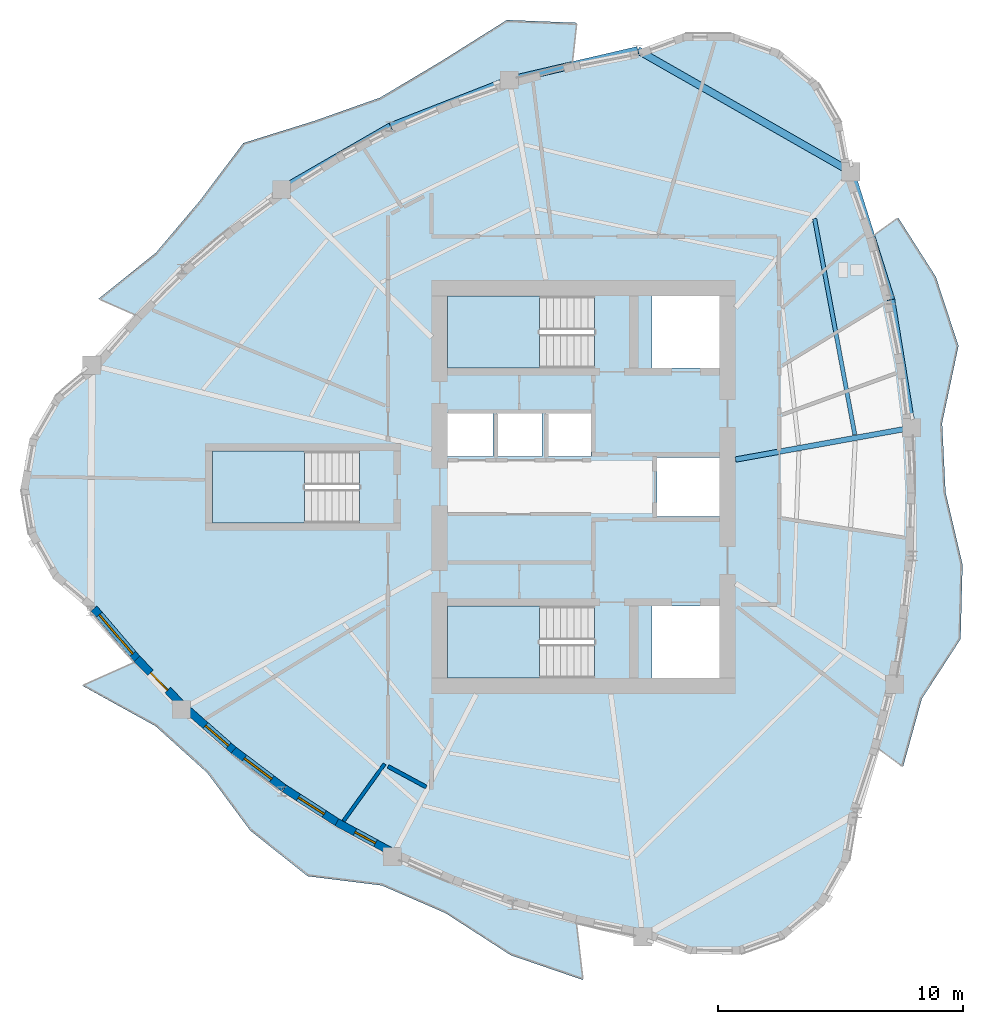
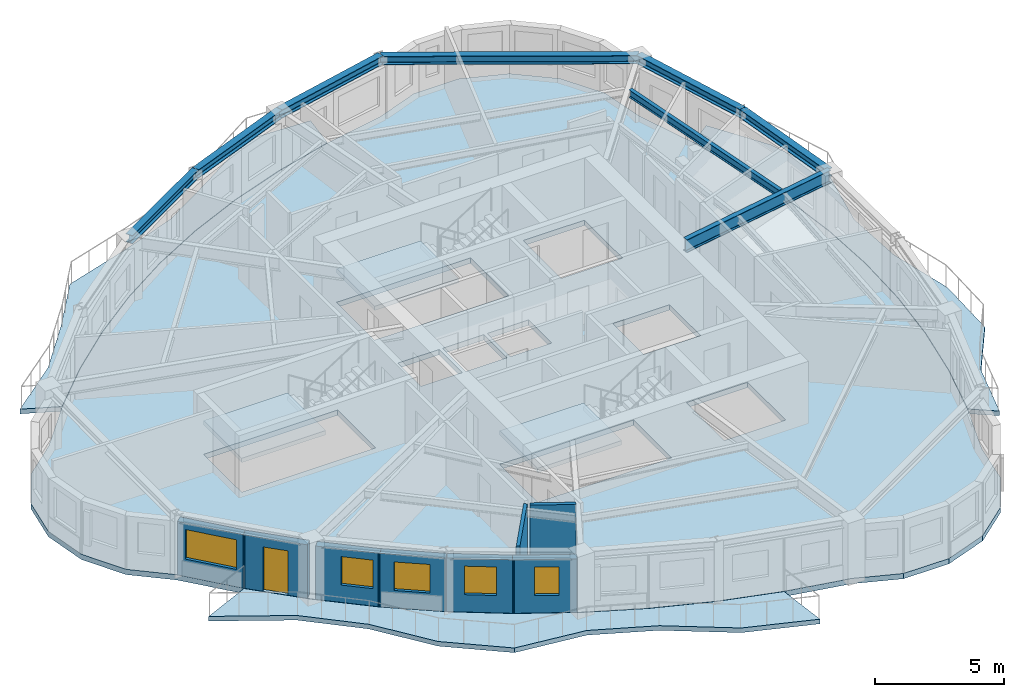
# One storey, part 2 of 12: 8 beams, 8 walls, 7 slabs, 5 windows, 1 door, 6 openings, 3 elements without a shape of their own.
"""IFC4 building model written with IfcOpenShell, lengths in metres."""

from ifc_helpers import new_model, si_unit, direction, frame, frame_2d, origin, origin_2d, place, context, subcontext, project, spatial, polyline, rectangle, i_section, outline, extrude, source, transform, mapped, material, layer, layer_set, material_profile, profile_set, type_object, element, fill, aggregate, save


model = new_model("IFC4")

# Units and contexts
model_context = context("Model", 3, precision=1e-05, world=origin(), true_north=direction((0.0, 1.0)))
body_context = subcontext(model_context, "Body", "Model", "MODEL_VIEW")
ifc_project = project(units=[si_unit("LENGTHUNIT", "METRE"), si_unit("AREAUNIT", "SQUARE_METRE"), si_unit("VOLUMEUNIT", "CUBIC_METRE"), si_unit("PLANEANGLEUNIT", "RADIAN"), si_unit("MASSUNIT", "GRAM", prefix="KILO")], contexts=[model_context])

# Site, building, storey
site_placement = place(None, origin())
site = spatial("IfcSite", under=ifc_project, at=site_placement, CompositionType="ELEMENT")
building_placement = place(site_placement, origin())
building = spatial("IfcBuilding", under=site, at=building_placement, Name="Qafzar Sky-Pleat Residences", CompositionType="ELEMENT")
storey_placement = place(building_placement, frame((0.0, 0.0, 174.60009765625)))
storey = spatial("IfcBuildingStorey", under=building, at=storey_placement, Name="L52", CompositionType="ELEMENT", Elevation=174.60009765625)

# Beams
ifc_material_1 = material(Name="Steel S355", Category="steel")
ifc_material_profile_1 = material_profile(ifc_material_1, i_section(OverallWidth=0.300048828125, OverallDepth=0.39990234375, WebThickness=0.013427734375, FlangeThickness=0.02392578125, FilletRadius=0.027099609375, at=origin_2d()), Name="HEB 400")
ifc_profile_set_1 = profile_set([ifc_material_profile_1], Name="Steel S355")
beam_type_1 = type_object("IfcBeamType", Name="BM-SPAN-HEB400", PredefinedType="SPANDREL", material=ifc_profile_set_1)
shared_shape_1 = source(origin(), body_context, "Body", "SweptSolid", [
    extrude(i_section(OverallWidth=0.300048828125, OverallDepth=0.39990234375, WebThickness=0.013427734375, FlangeThickness=0.02392578125, FilletRadius=0.027099609375, at=origin_2d()), origin(), (0.0, 0.0, 1.0), 10.017578125),
])
beam_1_placement = place(storey_placement, frame((41.25634765625, 38.860107421875, 2.747802734375), z_axis=(-0.86844553877, 0.495784576394, 0.0), x_axis=(-0.495784576394, -0.86844553877, 0.0)))
element("IfcBeam", 1, at=beam_1_placement, inside=storey, type_object=beam_type_1, Name="L52 Perimeter Spandrel Beam 13", PredefinedType="SPANDREL", context=body_context, shape_type="MappedRepresentation", body=[
    mapped(shared_shape_1, transform((0.0, 0.0, 0.0), x_axis=(1.0, 0.0, 0.0), y_axis=(0.0, 1.0, 0.0), z_axis=(0.0, 0.0, 1.0), scale=1.0)),
])
shared_shape_2 = source(origin(), body_context, "Body", "SweptSolid", [
    extrude(i_section(OverallWidth=0.300048828125, OverallDepth=0.39990234375, WebThickness=0.013427734375, FlangeThickness=0.02392578125, FilletRadius=0.027099609375, at=origin_2d()), origin(), (0.0, 0.0, 1.0), 5.468505859375),
])
beam_2_placement = place(storey_placement, frame((42.897705078125, 33.643798828125, 2.747802734375), z_axis=(-0.300150473614, 0.953891866612, 0.0), x_axis=(-0.953891866612, -0.300150473614, 0.0)))
element("IfcBeam", 2, at=beam_2_placement, inside=storey, type_object=beam_type_1, Name="L52 Perimeter Spandrel Beam 12", PredefinedType="SPANDREL", context=body_context, shape_type="MappedRepresentation", body=[
    mapped(shared_shape_2, transform((0.0, 0.0, 0.0), x_axis=(1.0, 0.0, 0.0), y_axis=(0.0, 1.0, 0.0), z_axis=(0.0, 0.0, 1.0), scale=1.0)),
])
shared_shape_3 = source(origin(), body_context, "Body", "SweptSolid", [
    extrude(i_section(OverallWidth=0.300048828125, OverallDepth=0.39990234375, WebThickness=0.013427734375, FlangeThickness=0.02392578125, FilletRadius=0.027099609375, at=origin_2d()), origin(), (0.0, 0.0, 1.0), 5.292236328125),
])
beam_3_placement = place(storey_placement, frame((43.74365234375, 28.419677734375, 2.747802734375), z_axis=(-0.159848832351, 0.98714150495, 0.0), x_axis=(-0.98714150495, -0.159848832351, 0.0)))
element("IfcBeam", 3, at=beam_3_placement, inside=storey, type_object=beam_type_1, Name="L52 Perimeter Spandrel Beam 11", PredefinedType="SPANDREL", context=body_context, shape_type="MappedRepresentation", body=[
    mapped(shared_shape_3, transform((0.0, 0.0, 0.0), x_axis=(1.0, 0.0, 0.0), y_axis=(0.0, 1.0, 0.0), z_axis=(0.0, 0.0, 1.0), scale=1.0)),
])
shared_shape_4 = source(origin(), body_context, "Body", "SweptSolid", [
    extrude(i_section(OverallWidth=0.300048828125, OverallDepth=0.39990234375, WebThickness=0.013427734375, FlangeThickness=0.02392578125, FilletRadius=0.027099609375, at=origin_2d()), origin(), (0.0, 0.0, 1.0), 5.376220703125),
])
beam_4_placement = place(storey_placement, frame((32.556640625, 43.82666015625, 2.747802734375), z_axis=(-0.974009424983, -0.226507483417, 0.0), x_axis=(0.226507483417, -0.974009424983, 0.0)))
element("IfcBeam", 4, at=beam_4_placement, inside=storey, type_object=beam_type_1, Name="L52 Perimeter Spandrel Beam 14", PredefinedType="SPANDREL", context=body_context, shape_type="MappedRepresentation", body=[
    mapped(shared_shape_4, transform((0.0, 0.0, 0.0), x_axis=(1.0, 0.0, 0.0), y_axis=(0.0, 1.0, 0.0), z_axis=(0.0, 0.0, 1.0), scale=1.0)),
])
shared_shape_5 = source(origin(), body_context, "Body", "SweptSolid", [
    extrude(i_section(OverallWidth=0.300048828125, OverallDepth=0.39990234375, WebThickness=0.013427734375, FlangeThickness=0.02392578125, FilletRadius=0.027099609375, at=origin_2d()), origin(), (0.0, 0.0, 1.0), 5.20263671875),
])
beam_5_placement = place(storey_placement, frame((27.320068359375, 42.60888671875, 2.747802734375), z_axis=(-0.931325836308, -0.364187021494, 0.0), x_axis=(0.364187021494, -0.931325836308, 0.0)))
element("IfcBeam", 5, at=beam_5_placement, inside=storey, type_object=beam_type_1, Name="L52 Perimeter Spandrel Beam 15", PredefinedType="SPANDREL", context=body_context, shape_type="MappedRepresentation", body=[
    mapped(shared_shape_5, transform((0.0, 0.0, 0.0), x_axis=(1.0, 0.0, 0.0), y_axis=(0.0, 1.0, 0.0), z_axis=(0.0, 0.0, 1.0), scale=1.0)),
])
shared_shape_6 = source(origin(), body_context, "Body", "SweptSolid", [
    extrude(i_section(OverallWidth=0.300048828125, OverallDepth=0.39990234375, WebThickness=0.013427734375, FlangeThickness=0.02392578125, FilletRadius=0.027099609375, at=origin_2d()), origin(), (0.0, 0.0, 1.0), 5.1435546875),
])
beam_6_placement = place(storey_placement, frame((22.474609375, 40.714111328125, 2.747802734375), z_axis=(-0.866032247962, -0.499988145349, 0.0), x_axis=(0.499988145349, -0.866032247962, 0.0)))
element("IfcBeam", 6, at=beam_6_placement, inside=storey, type_object=beam_type_1, Name="L52 Perimeter Spandrel Beam 16", PredefinedType="SPANDREL", context=body_context, shape_type="MappedRepresentation", body=[
    mapped(shared_shape_6, transform((0.0, 0.0, 0.0), x_axis=(1.0, 0.0, 0.0), y_axis=(0.0, 1.0, 0.0), z_axis=(0.0, 0.0, 1.0), scale=1.0)),
])
ifc_material_profile_2 = material_profile(ifc_material_1, i_section(OverallWidth=0.219970703125, OverallDepth=0.60009765625, WebThickness=0.011962890625, FlangeThickness=0.01904296875, FilletRadius=0.02392578125, at=origin_2d()), Name="IPE 600")
ifc_profile_set_2 = profile_set([ifc_material_profile_2], Name="Steel S355")
beam_type_2 = type_object("IfcBeamType", Name="BM-SEC-IPE600", PredefinedType="BEAM", material=ifc_profile_set_2)
shared_shape_7 = source(origin(), body_context, "Body", "SweptSolid", [
    extrude(i_section(OverallWidth=0.219970703125, OverallDepth=0.60009765625, WebThickness=0.011962890625, FlangeThickness=0.01904296875, FilletRadius=0.02392578125, at=origin_2d()), origin(), (0.0, 0.0, 1.0), 7.31005859375),
])
beam_7_placement = place(storey_placement, frame((43.74365234375, 28.419677734375, 2.64794921875), z_axis=(-0.984070742657, -0.177777314209, 0.0), x_axis=(0.177777314209, -0.984070742657, 0.0)))
element("IfcBeam", 7, at=beam_7_placement, inside=storey, type_object=beam_type_2, Name="L52 Radial Floor Girder 11", PredefinedType="BEAM", context=body_context, shape_type="MappedRepresentation", body=[
    mapped(shared_shape_7, transform((0.0, 0.0, 0.0), x_axis=(1.0, 0.0, 0.0), y_axis=(0.0, 1.0, 0.0), z_axis=(0.0, 0.0, 1.0), scale=1.0)),
])
ifc_material_profile_3 = material_profile(ifc_material_1, i_section(OverallWidth=0.169921875, OverallDepth=0.360107421875, WebThickness=0.008056640625, FlangeThickness=0.0126953125, FilletRadius=0.01806640625, at=origin_2d()), Name="IPE 360")
ifc_profile_set_3 = profile_set([ifc_material_profile_3], Name="Steel S355")
beam_type_3 = type_object("IfcBeamType", Name="BM-JST-IPE360", PredefinedType="JOIST", material=ifc_profile_set_3)
shared_shape_8 = source(origin(), body_context, "Body", "SweptSolid", [
    extrude(i_section(OverallWidth=0.169921875, OverallDepth=0.360107421875, WebThickness=0.008056640625, FlangeThickness=0.0126953125, FilletRadius=0.01806640625, at=origin_2d()), origin(), (0.0, 0.0, 1.0), 8.966552734375),
])
beam_8_placement = place(storey_placement, frame((41.4169921875, 28.136474609375, 2.767822265625), z_axis=(-0.183108044319, 0.983092795267, 0.0), x_axis=(-0.983092795267, -0.183108044319, 0.0)))
element("IfcBeam", 8, at=beam_8_placement, inside=storey, type_object=beam_type_3, Name="L52 Outer Secondary Floor Joist 6", PredefinedType="JOIST", context=body_context, shape_type="MappedRepresentation", body=[
    mapped(shared_shape_8, transform((0.0, 0.0, 0.0), x_axis=(1.0, 0.0, 0.0), y_axis=(0.0, 1.0, 0.0), z_axis=(0.0, 0.0, 1.0), scale=1.0)),
])

# Slabs
ifc_material_2 = material(Name="Concrete C40/50", Category="concrete")
ifc_layer_1 = layer(ifc_material_2, 0.219970703125)
ifc_layer_set_1 = layer_set([ifc_layer_1], Name="Concrete C40/50")
slab_type_1 = type_object("IfcSlabType", Name="SLAB-BAL-220", PredefinedType="USERDEFINED", material=ifc_layer_set_1)
slab_1_placement = place(storey_placement, frame((0.0, 0.0, -0.22021484375)))
element("IfcSlab", 9, at=slab_1_placement, inside=storey, type_object=slab_type_1, Name="L52 Pleated Stone Balcony 1", ObjectType="BALCONY", PredefinedType="USERDEFINED", context=body_context, shape_type="SweptSolid", body=[
    extrude(outline(polyline([(43.060546875, 17.942626953125), (43.532958984375, 20.565185546875), (43.80615234375, 23.185791015625), (43.88037109375, 25.8046875), (43.755615234375, 28.42138671875), (43.431396484375, 31.036376953125), (42.908203125, 33.649169921875), (42.18603515625, 36.259765625), (43.189208984375, 36.9853515625), (44.721435546875, 34.57958984375), (45.647216796875, 31.759521484375), (44.97900390625, 28.609619140625), (45.118408203125, 25.789306640625), (45.812744140625, 22.82861328125), (45.73291015625, 19.79541015625), (44.152099609375, 17.358642578125), (43.38330078125, 14.580810546875), (42.38916015625, 15.318603515625), (43.060546875, 17.942626953125)])), origin(), (0.0, 0.0, 1.0), 0.22021484375),
])
slab_2_placement = place(storey_placement, frame((0.0, 0.0, -0.22021484375)))
element("IfcSlab", 10, at=slab_2_placement, inside=storey, type_object=slab_type_1, Name="L52 Pleated Stone Balcony 2", ObjectType="BALCONY", PredefinedType="USERDEFINED", context=body_context, shape_type="SweptSolid", body=[
    extrude(outline(polyline([(27.319580078125, 42.62109375), (24.84619140625, 41.758056640625), (22.47021484375, 40.725341796875), (20.1923828125, 39.523193359375), (18.01220703125, 38.151611328125), (15.93017578125, 36.6103515625), (13.946044921875, 34.899658203125), (12.059814453125, 33.01953125), (10.560791015625, 33.6796875), (12.89990234375, 35.56201171875), (14.699951171875, 37.69189453125), (16.464111328125, 40.034912109375), (19.373291015625, 40.94189453125), (22.03515625, 41.884521484375), (24.524658203125, 43.364013671875), (27.219970703125, 45.056884765625), (30.068603515625, 44.942626953125), (29.890869140625, 43.314453125), (27.319580078125, 42.62109375)])), origin(), (0.0, 0.0, 1.0), 0.22021484375),
])
slab_3_placement = place(storey_placement, frame((0.0, 0.0, -0.22021484375)))
element("IfcSlab", 11, at=slab_3_placement, inside=storey, type_object=slab_type_1, Name="L52 Pleated Stone Balcony 3", ObjectType="BALCONY", PredefinedType="USERDEFINED", context=body_context, shape_type="SweptSolid", body=[
    extrude(outline(polyline([(13.92138671875, 16.91357421875), (15.922607421875, 15.154296875), (18.025146484375, 13.56591796875), (20.22900390625, 12.1494140625), (22.5341796875, 10.904296875), (24.940185546875, 9.830810546875), (27.447509765625, 8.9287109375), (30.055908203125, 8.197998046875), (30.3232421875, 5.88232421875), (27.381591796875, 6.8916015625), (24.710205078125, 8.6142578125), (22.112548828125, 9.740234375), (19.08837890625, 10.11669921875), (16.75, 11.976318359375), (15.001708984375, 14.326904296875), (12.88134765625, 16.2421875), (9.894287109375, 17.8916015625), (12.021484375, 18.844482421875), (13.92138671875, 16.91357421875)])), origin(), (0.0, 0.0, 1.0), 0.22021484375),
])
ifc_layer_2 = layer(ifc_material_2, 0.25)
ifc_layer_set_2 = layer_set([ifc_layer_2], Name="Concrete C40/50")
slab_type_2 = type_object("IfcSlabType", Name="SLAB-FLR-250", PredefinedType="FLOOR", material=ifc_layer_set_2)
slab_4_placement = place(storey_placement, frame((0.0, 0.0, -0.25)))
element("IfcSlab", 12, at=slab_4_placement, inside=storey, type_object=slab_type_2, Name="L52 Structural Floor Slab", PredefinedType="FLOOR", context=body_context, shape_type="SweptSolid", body=[
    extrude(outline(polyline([(10.283203125, 30.967041015625), (8.746337890625, 29.679443359375), (7.739501953125, 27.945556640625), (7.38330078125, 25.972412109375), (7.720458984375, 23.995849609375), (8.710205078125, 22.252197265625), (10.234619140625, 20.94970703125), (12.03271484375, 18.849365234375), (13.931640625, 16.920166015625), (15.931640625, 15.162109375), (18.03271484375, 13.575439453125), (20.23486328125, 12.159912109375), (22.5380859375, 10.91552734375), (24.9423828125, 9.842529296875), (27.447998046875, 8.940673828125), (30.054443359375, 8.209716796875), (32.761962890625, 7.650390625), (34.66650390625, 6.939697265625), (36.69921875, 6.9296875), (38.610595703125, 7.6220703125), (40.165771484375, 8.93115234375), (41.173583984375, 10.696533203125), (41.51025390625, 12.701171875), (42.37939453125, 15.32568359375), (43.050048828125, 17.948486328125), (43.521484375, 20.569091796875), (43.79443359375, 23.18798828125), (43.868408203125, 25.8046875), (43.74365234375, 28.419677734375), (43.419921875, 31.03271484375), (42.897705078125, 33.643798828125), (42.176513671875, 36.252685546875), (41.25634765625, 38.860107421875), (40.890625, 40.831298828125), (39.87548828125, 42.560546875), (38.332275390625, 43.8408203125), (36.4453125, 44.518798828125), (34.440185546875, 44.513916015625), (32.556640625, 43.82666015625), (29.889404296875, 43.302490234375), (27.320068359375, 42.60888671875), (24.848388671875, 41.74609375), (22.474609375, 40.714111328125), (20.1982421875, 39.512939453125), (18.02001953125, 38.142333984375), (15.939208984375, 36.602294921875), (13.9560546875, 34.893310546875), (12.07080078125, 33.014892578125), (10.283203125, 30.967041015625)]), holes=[polyline([(30.797119140625, 21.14990234375), (24.800048828125, 21.14990234375), (24.800048828125, 18.199951171875), (30.797119140625, 18.199951171875), (30.797119140625, 21.14990234375)]), polyline([(30.797119140625, 33.800048828125), (24.800048828125, 33.800048828125), (24.800048828125, 30.85009765625), (30.797119140625, 30.85009765625), (30.797119140625, 33.800048828125)]), polyline([(21.197021484375, 27.47509765625), (15.199951171875, 27.47509765625), (15.199951171875, 24.52490234375), (21.197021484375, 24.52490234375), (21.197021484375, 27.47509765625)]), polyline([(24.800048828125, 27.25), (26.64990234375, 27.25), (26.64990234375, 29.050048828125), (24.800048828125, 29.050048828125), (24.800048828125, 27.25)]), polyline([(26.800048828125, 27.25), (28.64990234375, 27.25), (28.64990234375, 29.050048828125), (26.800048828125, 29.050048828125), (26.800048828125, 27.25)]), polyline([(28.800048828125, 27.25), (30.64990234375, 27.25), (30.64990234375, 29.050048828125), (28.800048828125, 29.050048828125), (28.800048828125, 27.25)]), polyline([(33.14990234375, 18.199951171875), (35.89990234375, 18.199951171875), (35.89990234375, 21.14990234375), (33.14990234375, 21.14990234375), (33.14990234375, 18.199951171875)]), polyline([(33.14990234375, 30.85009765625), (35.89990234375, 30.85009765625), (35.89990234375, 33.800048828125), (33.14990234375, 33.800048828125), (33.14990234375, 30.85009765625)]), polyline([(33.35009765625, 24.800048828125), (35.89990234375, 24.800048828125), (35.89990234375, 27.199951171875), (33.35009765625, 27.199951171875), (33.35009765625, 24.800048828125)])]), origin(), (0.0, 0.0, 1.0), 0.25),
])

# Stair, slab
stair_type = type_object("IfcStairType", Name="STAIR-H320", PredefinedType="HALF_TURN_STAIR", material=ifc_material_2)
stair_1_placement = place(storey_placement, origin())
stair_1 = element("IfcStair", 13, at=stair_1_placement, inside=storey, type_object=stair_type, Name="L52 Protected Exit Stair ST1", PredefinedType="HALF_TURN_STAIR")
ifc_layer_3 = layer(ifc_material_2, 0.199951171875)
ifc_layer_set_3 = layer_set([ifc_layer_3], Name="Concrete C40/50")
slab_type_3 = type_object("IfcSlabType", Name="SLAB-LANDING-200", PredefinedType="LANDING", material=ifc_layer_set_3)
slab_5_placement = place(storey_placement, frame((0.0, 0.0, 1.39990234375)))
slab_5 = element("IfcSlab", 14, at=slab_5_placement, type_object=slab_type_3, Name="ST1 landing 1", PredefinedType="LANDING", context=body_context, shape_type="SweptSolid", body=[
    extrude(outline(polyline([(28.56005859375, 21.14990234375), (24.800048828125, 21.14990234375), (24.800048828125, 18.199951171875), (28.56005859375, 18.199951171875), (28.56005859375, 21.14990234375)])), origin(), (0.0, 0.0, 1.0), 0.199951171875),
])
aggregate(stair_1, [slab_5])

stair_2_placement = place(storey_placement, origin())
stair_2 = element("IfcStair", 15, at=stair_2_placement, inside=storey, type_object=stair_type, Name="L52 Protected Exit Stair ST2", PredefinedType="HALF_TURN_STAIR")
slab_6_placement = place(storey_placement, frame((0.0, 0.0, 1.39990234375)))
slab_6 = element("IfcSlab", 16, at=slab_6_placement, type_object=slab_type_3, Name="ST2 landing 1", PredefinedType="LANDING", context=body_context, shape_type="SweptSolid", body=[
    extrude(outline(polyline([(28.56005859375, 33.800048828125), (24.800048828125, 33.800048828125), (24.800048828125, 30.85009765625), (28.56005859375, 30.85009765625), (28.56005859375, 33.800048828125)])), origin(), (0.0, 0.0, 1.0), 0.199951171875),
])
aggregate(stair_2, [slab_6])

stair_3_placement = place(storey_placement, origin())
stair_3 = element("IfcStair", 17, at=stair_3_placement, inside=storey, type_object=stair_type, Name="L52 Protected Exit Stair ST3", PredefinedType="HALF_TURN_STAIR")
slab_7_placement = place(storey_placement, frame((0.0, 0.0, 1.39990234375)))
slab_7 = element("IfcSlab", 18, at=slab_7_placement, type_object=slab_type_3, Name="ST3 landing 1", PredefinedType="LANDING", context=body_context, shape_type="SweptSolid", body=[
    extrude(outline(polyline([(18.9599609375, 27.47509765625), (15.199951171875, 27.47509765625), (15.199951171875, 24.52490234375), (18.9599609375, 24.52490234375), (18.9599609375, 27.47509765625)])), origin(), (0.0, 0.0, 1.0), 0.199951171875),
])
aggregate(stair_3, [slab_7])

# Walls
ifc_material_3 = material(Name="Acoustic gypsum plasterboard partition", Category="gypsum")
ifc_layer_4 = layer(ifc_material_3, 0.159912109375)
ifc_layer_set_4 = layer_set([ifc_layer_4], Name="Acoustic gypsum plasterboard partition")
wall_type_1 = type_object("IfcWallType", Name="PART-COR-160", PredefinedType="PARTITIONING", material=ifc_layer_set_4)
wall_1_placement = place(storey_placement, frame((22.3701171875, 14.597900390625, 0.0), z_axis=(0.0, 0.0, 1.0), x_axis=(0.879928353623, -0.475106401231, 0.0)))
element("IfcWall", 19, at=wall_1_placement, inside=storey, type_object=wall_type_1, Name="L52 Partition Wall PART-L52-PW-027", PredefinedType="PARTITIONING", context=body_context, shape_type="SweptSolid", body=[
    extrude(rectangle(XDim=1.778564453125, YDim=0.159912109375, at=frame_2d((0.88916015625, 0.0))), origin(), (0.0, 0.0, 1.0), 2.949951171875),
])
ifc_layer_5 = layer(ifc_material_3, 0.14501953125)
ifc_layer_set_5 = layer_set([ifc_layer_5], Name="Acoustic gypsum plasterboard partition")
wall_type_2 = type_object("IfcWallType", Name="PART-UNIT-145", PredefinedType="PARTITIONING", material=ifc_layer_set_5)
wall_2_placement = place(storey_placement, frame((20.554931640625, 12.3701171875, 0.0), z_axis=(0.0, 0.0, 1.0), x_axis=(0.583544912932, 0.812080867027, 0.0)))
element("IfcWall", 20, at=wall_2_placement, inside=storey, type_object=wall_type_2, Name="L52 Partition Wall PART-L52-PW-023", PredefinedType="PARTITIONING", context=body_context, shape_type="SweptSolid", body=[
    extrude(rectangle(XDim=2.870361328125, YDim=0.14501953125, at=frame_2d((1.43505859375, 0.0))), origin(), (0.0, 0.0, 1.0), 2.949951171875),
])

# Wall, opening, window
ifc_material_4 = material(Name="Precast concrete C40/50 with honed Riyadh limestone", Category="concrete")
ifc_layer_6 = layer(ifc_material_4, 0.320068359375)
ifc_layer_set_6 = layer_set([ifc_layer_6], Name="Precast concrete C40/50 with honed Riyadh limestone")
wall_type_3 = type_object("IfcWallType", Name="WALL-EXT-320", PredefinedType="SOLIDWALL", material=ifc_layer_set_6)
wall_3_placement = place(storey_placement, frame((10.369384765625, 21.03857421875, 0.0), z_axis=(0.0, 0.0, 1.0), x_axis=(0.65028546754, -0.759689943797, 0.0)))
wall_3 = element("IfcWall", 21, at=wall_3_placement, inside=storey, type_object=wall_type_3, Name="L52 Limestone Facade Wall 7", PredefinedType="SOLIDWALL", context=body_context, shape_type="SweptSolid", body=[
    extrude(rectangle(XDim=2.78271484375, YDim=0.320068359375, at=frame_2d((1.391357421875, 0.0))), origin(), (0.0, 0.0, 1.0), 2.52978515625),
])
opening_1_placement = place(wall_3_placement, frame((0.331298828125, 0.0, 0.820068359375)))
opening_1 = element("IfcOpeningElement", 22, at=opening_1_placement, cuts=wall_3, Name="Opening WN-07", PredefinedType="OPENING", context=body_context, shape_type="SweptSolid", body=[
    extrude(rectangle(XDim=2.10009765625, YDim=1.39990234375, at=frame_2d((1.050048828125, 0.699951171875))), frame((0.0, 0.169921875, 0.0), z_axis=(0.0, -1.0, 0.0), x_axis=(1.0, 0.0, 0.0)), (0.0, 0.0, 1.0), 0.340087890625),
])
ifc_material_5 = material(Name="Solar-control low-E glass in bronze aluminium frame", Category="glass")
window_type_1 = type_object("IfcWindowType", Name="WIN-07", PartitioningType="DOUBLE_PANEL_VERTICAL", PredefinedType="WINDOW", material=ifc_material_5)
shared_shape_9 = source(origin(), body_context, "Body", "SweptSolid", [
    extrude(rectangle(XDim=2.10009765625, YDim=1.39990234375, at=frame_2d((1.050048828125, 0.699951171875))), frame((0.0, 0.030029296875, 0.0), z_axis=(0.0, -1.0, 0.0), x_axis=(1.0, 0.0, 0.0)), (0.0, 0.0, 1.0), 0.06005859375),
])
window_1_placement = place(opening_1_placement, origin())
window_1 = element("IfcWindow", 23, at=window_1_placement, inside=storey, type_object=window_type_1, Name="L52 Punched Facade Window 07", OverallHeight=1.39990234375, OverallWidth=2.10009765625, PartitioningType="SINGLE_PANEL", PredefinedType="WINDOW", context=body_context, shape_type="MappedRepresentation", body=[
    mapped(shared_shape_9, transform((0.0, 0.0, 0.0), x_axis=(1.0, 0.0, 0.0), y_axis=(0.0, 1.0, 0.0), z_axis=(0.0, 0.0, 1.0), scale=1.0)),
])
fill(opening_1, window_1)

# Wall, opening, door
wall_4_placement = place(storey_placement, frame((12.1201171875, 18.988525390625, 0.0), z_axis=(0.0, 0.0, 1.0), x_axis=(0.701501494422, -0.71266798253, 0.0)))
wall_4 = element("IfcWall", 24, at=wall_4_placement, inside=storey, type_object=wall_type_3, Name="L52 Limestone Facade Wall 8", PredefinedType="SOLIDWALL", context=body_context, shape_type="SweptSolid", body=[
    extrude(rectangle(XDim=2.579833984375, YDim=0.320068359375, at=frame_2d((1.2900390625, 0.0))), origin(), (0.0, 0.0, 1.0), 2.52978515625),
])
opening_2_placement = place(wall_4_placement, frame((0.794921875, 0.0, 0.0)))
opening_2 = element("IfcOpeningElement", 25, at=opening_2_placement, cuts=wall_4, Name="Opening ED-05", PredefinedType="OPENING", context=body_context, shape_type="SweptSolid", body=[
    extrude(rectangle(XDim=1.0, YDim=2.10009765625, at=frame_2d((0.5, 1.050048828125))), frame((0.0, 0.169921875, 0.0), z_axis=(0.0, -1.0, 0.0), x_axis=(1.0, 0.0, 0.0)), (0.0, 0.0, 1.0), 0.340087890625),
])
ifc_material_6 = material(Name="Glazed bronze aluminium door", Category="aluminium")
door_type = type_object("IfcDoorType", Name="DR-BAL-1000", OperationType="NOTDEFINED", PredefinedType="DOOR", material=ifc_material_6)
shared_shape_10 = source(origin(), body_context, "Body", "SweptSolid", [
    extrude(rectangle(XDim=1.0, YDim=2.10009765625, at=frame_2d((0.5, 1.050048828125))), frame((0.0, 0.02490234375, 0.0), z_axis=(0.0, -1.0, 0.0), x_axis=(1.0, 0.0, 0.0)), (0.0, 0.0, 1.0), 0.050048828125),
])
door_placement = place(opening_2_placement, origin())
door = element("IfcDoor", 26, at=door_placement, inside=storey, type_object=door_type, Name="L52 Glazed Balcony Door 3", OperationType="SINGLE_SWING_LEFT", OverallHeight=2.10009765625, OverallWidth=1.0, PredefinedType="DOOR", context=body_context, shape_type="MappedRepresentation", body=[
    mapped(shared_shape_10, transform((0.0, 0.0, 0.0), x_axis=(1.0, 0.0, 0.0), y_axis=(0.0, 1.0, 0.0), z_axis=(0.0, 0.0, 1.0), scale=1.0)),
])
fill(opening_2, door)

# Wall, opening, window
wall_5_placement = place(storey_placement, frame((14.1611328125, 16.931396484375, 0.0), z_axis=(0.0, 0.0, 1.0), x_axis=(0.751131625517, -0.660152468107, 0.0)))
wall_5 = element("IfcWall", 27, at=wall_5_placement, inside=storey, type_object=wall_type_3, Name="L52 Limestone Facade Wall 9", PredefinedType="SOLIDWALL", context=body_context, shape_type="SweptSolid", body=[
    extrude(rectangle(XDim=2.535888671875, YDim=0.320068359375, at=frame_2d((1.26806640625, 0.0))), origin(), (0.0, 0.0, 1.0), 2.52978515625),
])
opening_3_placement = place(wall_5_placement, frame((1.009521484375, 0.0, 0.820068359375)))
opening_3 = element("IfcOpeningElement", 28, at=opening_3_placement, cuts=wall_5, Name="Opening WN-11", PredefinedType="OPENING", context=body_context, shape_type="SweptSolid", body=[
    extrude(rectangle(XDim=1.25, YDim=1.35009765625, at=frame_2d((0.625, 0.675048828125))), frame((0.0, 0.169921875, 0.0), z_axis=(0.0, -1.0, 0.0), x_axis=(1.0, 0.0, 0.0)), (0.0, 0.0, 1.0), 0.340087890625),
])
window_type_2 = type_object("IfcWindowType", Name="WIN-11", PartitioningType="SINGLE_PANEL", PredefinedType="WINDOW", material=ifc_material_5)
shared_shape_11 = source(origin(), body_context, "Body", "SweptSolid", [
    extrude(rectangle(XDim=1.25, YDim=1.35009765625, at=frame_2d((0.625, 0.675048828125))), frame((0.0, 0.030029296875, 0.0), z_axis=(0.0, -1.0, 0.0), x_axis=(1.0, 0.0, 0.0)), (0.0, 0.0, 1.0), 0.06005859375),
])
window_2_placement = place(opening_3_placement, origin())
window_2 = element("IfcWindow", 29, at=window_2_placement, inside=storey, type_object=window_type_2, Name="L52 Punched Facade Window 09-2", OverallHeight=1.35009765625, OverallWidth=1.25, PartitioningType="SINGLE_PANEL", PredefinedType="WINDOW", context=body_context, shape_type="MappedRepresentation", body=[
    mapped(shared_shape_11, transform((0.0, 0.0, 0.0), x_axis=(1.0, 0.0, 0.0), y_axis=(0.0, 1.0, 0.0), z_axis=(0.0, 0.0, 1.0), scale=1.0)),
])
fill(opening_3, window_2)

wall_6_placement = place(storey_placement, frame((15.997802734375, 15.312744140625, 0.0), z_axis=(0.0, 0.0, 1.0), x_axis=(0.797995270696, -0.602663710494, 0.0)))
wall_6 = element("IfcWall", 30, at=wall_6_placement, inside=storey, type_object=wall_type_3, Name="L52 Limestone Facade Wall 10", PredefinedType="SOLIDWALL", context=body_context, shape_type="SweptSolid", body=[
    extrude(rectangle(XDim=2.65087890625, YDim=0.320068359375, at=frame_2d((1.325439453125, 0.0))), origin(), (0.0, 0.0, 1.0), 2.52978515625),
])
opening_4_placement = place(wall_6_placement, frame((0.635498046875, 0.0, 0.820068359375)))
opening_4 = element("IfcOpeningElement", 31, at=opening_4_placement, cuts=wall_6, Name="Opening WN-10", PredefinedType="OPENING", context=body_context, shape_type="SweptSolid", body=[
    extrude(rectangle(XDim=1.39990234375, YDim=1.35009765625, at=frame_2d((0.699951171875, 0.675048828125))), frame((0.0, 0.169921875, 0.0), z_axis=(0.0, -1.0, 0.0), x_axis=(1.0, 0.0, 0.0)), (0.0, 0.0, 1.0), 0.340087890625),
])
window_type_3 = type_object("IfcWindowType", Name="WIN-10", PartitioningType="SINGLE_PANEL", PredefinedType="WINDOW", material=ifc_material_5)
shared_shape_12 = source(origin(), body_context, "Body", "SweptSolid", [
    extrude(rectangle(XDim=1.39990234375, YDim=1.35009765625, at=frame_2d((0.699951171875, 0.675048828125))), frame((0.0, 0.030029296875, 0.0), z_axis=(0.0, -1.0, 0.0), x_axis=(1.0, 0.0, 0.0)), (0.0, 0.0, 1.0), 0.06005859375),
])
window_3_placement = place(opening_4_placement, origin())
window_3 = element("IfcWindow", 32, at=window_3_placement, inside=storey, type_object=window_type_3, Name="L52 Punched Facade Window 10", OverallHeight=1.35009765625, OverallWidth=1.39990234375, PartitioningType="SINGLE_PANEL", PredefinedType="WINDOW", context=body_context, shape_type="MappedRepresentation", body=[
    mapped(shared_shape_12, transform((0.0, 0.0, 0.0), x_axis=(1.0, 0.0, 0.0), y_axis=(0.0, 1.0, 0.0), z_axis=(0.0, 0.0, 1.0), scale=1.0)),
])
fill(opening_4, window_3)

wall_7_placement = place(storey_placement, frame((18.135986328125, 13.69921875, 0.0), z_axis=(0.0, 0.0, 1.0), x_axis=(0.841223609804, -0.540687375761, 0.0)))
wall_7 = element("IfcWall", 33, at=wall_7_placement, inside=storey, type_object=wall_type_3, Name="L52 Limestone Facade Wall 11", PredefinedType="SOLIDWALL", context=body_context, shape_type="SweptSolid", body=[
    extrude(rectangle(XDim=2.635986328125, YDim=0.320068359375, at=frame_2d((1.31787109375, 0.0))), origin(), (0.0, 0.0, 1.0), 2.52978515625),
])
opening_5_placement = place(wall_7_placement, frame((0.682861328125, 0.0, 0.820068359375)))
opening_5 = element("IfcOpeningElement", 34, at=opening_5_placement, cuts=wall_7, Name="Opening WN-11", PredefinedType="OPENING", context=body_context, shape_type="SweptSolid", body=[
    extrude(rectangle(XDim=1.25, YDim=1.35009765625, at=frame_2d((0.625, 0.675048828125))), frame((0.0, 0.169921875, 0.0), z_axis=(0.0, -1.0, 0.0), x_axis=(1.0, 0.0, 0.0)), (0.0, 0.0, 1.0), 0.340087890625),
])
window_4_placement = place(opening_5_placement, origin())
window_4 = element("IfcWindow", 35, at=window_4_placement, inside=storey, type_object=window_type_2, Name="L52 Punched Facade Window 11", OverallHeight=1.35009765625, OverallWidth=1.25, PartitioningType="SINGLE_PANEL", PredefinedType="WINDOW", context=body_context, shape_type="MappedRepresentation", body=[
    mapped(shared_shape_11, transform((0.0, 0.0, 0.0), x_axis=(1.0, 0.0, 0.0), y_axis=(0.0, 1.0, 0.0), z_axis=(0.0, 0.0, 1.0), scale=1.0)),
])
fill(opening_5, window_4)

wall_8_placement = place(storey_placement, frame((20.277587890625, 12.318603515625, 0.0), z_axis=(0.0, 0.0, 1.0), x_axis=(0.879825062943, -0.475297652653, 0.0)))
wall_8 = element("IfcWall", 36, at=wall_8_placement, inside=storey, type_object=wall_type_3, Name="L52 Limestone Facade Wall 12", PredefinedType="SOLIDWALL", context=body_context, shape_type="SweptSolid", body=[
    extrude(rectangle(XDim=2.49072265625, YDim=0.320068359375, at=frame_2d((1.245361328125, 0.0))), origin(), (0.0, 0.0, 1.0), 2.52978515625),
])
opening_6_placement = place(wall_8_placement, frame((0.843505859375, 0.0, 0.820068359375)))
opening_6 = element("IfcOpeningElement", 37, at=opening_6_placement, cuts=wall_8, Name="Opening WN-12", PredefinedType="OPENING", context=body_context, shape_type="SweptSolid", body=[
    extrude(rectangle(XDim=0.949951171875, YDim=1.35009765625, at=frame_2d((0.47509765625, 0.675048828125))), frame((0.0, 0.169921875, 0.0), z_axis=(0.0, -1.0, 0.0), x_axis=(1.0, 0.0, 0.0)), (0.0, 0.0, 1.0), 0.340087890625),
])
window_type_4 = type_object("IfcWindowType", Name="WIN-12", PartitioningType="SINGLE_PANEL", PredefinedType="WINDOW", material=ifc_material_5)
shared_shape_13 = source(origin(), body_context, "Body", "SweptSolid", [
    extrude(rectangle(XDim=0.949951171875, YDim=1.35009765625, at=frame_2d((0.47509765625, 0.675048828125))), frame((0.0, 0.030029296875, 0.0), z_axis=(0.0, -1.0, 0.0), x_axis=(1.0, 0.0, 0.0)), (0.0, 0.0, 1.0), 0.06005859375),
])
window_5_placement = place(opening_6_placement, origin())
window_5 = element("IfcWindow", 38, at=window_5_placement, inside=storey, type_object=window_type_4, Name="L52 Punched Facade Window 12", OverallHeight=1.35009765625, OverallWidth=0.949951171875, PartitioningType="SINGLE_PANEL", PredefinedType="WINDOW", context=body_context, shape_type="MappedRepresentation", body=[
    mapped(shared_shape_13, transform((0.0, 0.0, 0.0), x_axis=(1.0, 0.0, 0.0), y_axis=(0.0, 1.0, 0.0), z_axis=(0.0, 0.0, 1.0), scale=1.0)),
])
fill(opening_6, window_5)

save(model, "model.ifc")
